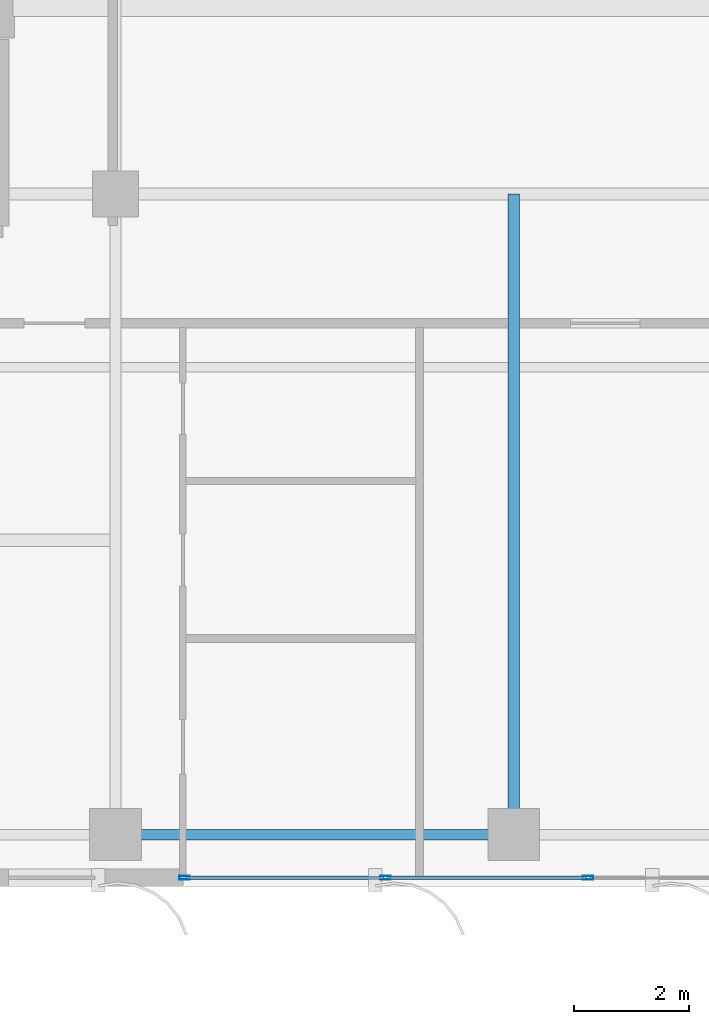
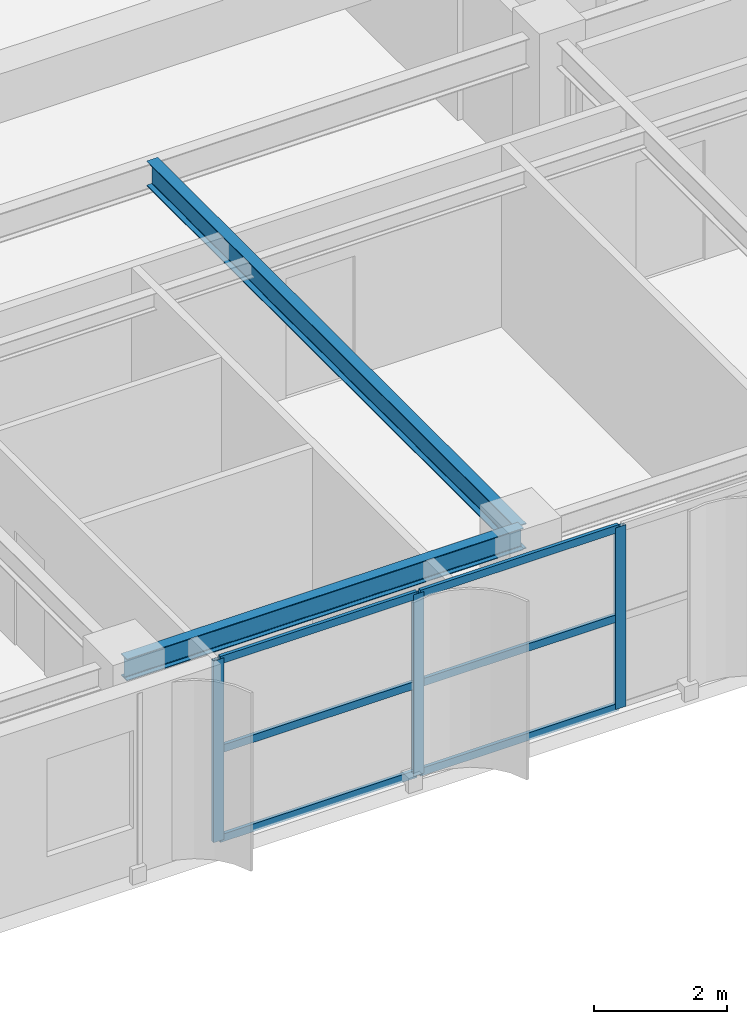
# One storey, part 2 of 22: 9 members, 2 beams, 1 element without a shape of its own.
"""IFC4 building model written with IfcOpenShell, lengths in metres."""

from ifc_helpers import new_model, si_unit, direction, frame, origin, origin_2d, place, context, subcontext, project, spatial, hollow_rectangle, i_section, extrude, source, transform, mapped, material, layer, layer_set, material_profile, profile_set, type_object, element, aggregate, save


model = new_model("IFC4")

# Units and contexts
model_context = context("Model", 3, precision=1e-05, world=origin(), true_north=direction((0.0, 1.0)))
body_context = subcontext(model_context, "Body", "Model", "MODEL_VIEW")
ifc_project = project(units=[si_unit("LENGTHUNIT", "METRE"), si_unit("AREAUNIT", "SQUARE_METRE"), si_unit("VOLUMEUNIT", "CUBIC_METRE"), si_unit("PLANEANGLEUNIT", "RADIAN"), si_unit("MASSUNIT", "GRAM", prefix="KILO")], contexts=[model_context])

# Site, building, storey
site_placement = place(None, origin())
site = spatial("IfcSite", under=ifc_project, at=site_placement, CompositionType="ELEMENT")
building_placement = place(site_placement, origin())
building = spatial("IfcBuilding", under=site, at=building_placement, Name="Khoralis Quay Care Tower", CompositionType="ELEMENT")
storey_placement = place(building_placement, frame((0.0, 0.0, 170.10009765625)))
storey = spatial("IfcBuildingStorey", under=building, at=storey_placement, Name="L44", CompositionType="ELEMENT", Elevation=170.10009765625)

# Beams
ifc_material_1 = material(Name="Steel S355", Category="steel")
ifc_material_profile_1 = material_profile(ifc_material_1, i_section(OverallWidth=0.179931640625, OverallDepth=0.39990234375, WebThickness=0.008544921875, FlangeThickness=0.013427734375, FilletRadius=0.02099609375, at=origin_2d()), Name="Steel S355")
ifc_profile_set_1 = profile_set([ifc_material_profile_1], Name="Steel S355")
beam_type_1 = type_object("IfcBeamType", Name="BM-IPE400", PredefinedType="SPANDREL", material=ifc_profile_set_1)
shared_shape_1 = source(origin(), body_context, "Body", "SweptSolid", [
    extrude(i_section(OverallWidth=0.179931640625, OverallDepth=0.39990234375, WebThickness=0.008544921875, FlangeThickness=0.013427734375, FilletRadius=0.02099609375, at=origin_2d()), origin(), (0.0, 0.0, 1.0), 6.89990234375),
])
beam_1_placement = place(storey_placement, frame((17.10009765625, 0.89990234375, 3.139892578125), z_axis=(1.0, 0.0, 0.0), x_axis=(0.0, 1.0, 0.0)))
element("IfcBeam", 1, at=beam_1_placement, inside=storey, type_object=beam_type_1, Name="BM-TSP-L44-02", PredefinedType="SPANDREL", context=body_context, shape_type="MappedRepresentation", body=[
    mapped(shared_shape_1, transform((0.0, 0.0, 0.0), scale=1.0)),
])
ifc_material_profile_2 = material_profile(ifc_material_1, i_section(OverallWidth=0.19189453125, OverallDepth=0.462890625, WebThickness=0.010498046875, FlangeThickness=0.017578125, FilletRadius=0.014892578125, at=origin_2d()), Name="Steel S355")
ifc_profile_set_2 = profile_set([ifc_material_profile_2], Name="Steel S355")
beam_type_2 = type_object("IfcBeamType", Name="BM-W460X89", PredefinedType="BEAM", material=ifc_profile_set_2)
shared_shape_2 = source(origin(), body_context, "Body", "SweptSolid", [
    extrude(i_section(OverallWidth=0.19189453125, OverallDepth=0.462890625, WebThickness=0.010498046875, FlangeThickness=0.017578125, FilletRadius=0.014892578125, at=origin_2d()), origin(), (0.0, 0.0, 1.0), 11.10009765625),
])
beam_2_placement = place(storey_placement, frame((24.0, 0.89990234375, 3.1083984375), z_axis=(0.0, 1.0, 0.0), x_axis=(-1.0, 0.0, 0.0)))
element("IfcBeam", 2, at=beam_2_placement, inside=storey, type_object=beam_type_2, Name="BM-TGYS-L44-240", PredefinedType="BEAM", context=body_context, shape_type="MappedRepresentation", body=[
    mapped(shared_shape_2, transform((0.0, 0.0, 0.0), scale=1.0)),
])

# Curtain wall, members
ifc_material_2 = material(Name="Pale anodised aluminium", Category="aluminium")
ifc_layer = layer(ifc_material_2, 0.159912109375)
ifc_layer_set = layer_set([ifc_layer], Name="Pale anodised aluminium")
curtain_wall_type = type_object("IfcCurtainWallType", Name="CW-SYS-Z3", PredefinedType="NOTDEFINED", material=ifc_layer_set)
curtain_wall_placement = place(storey_placement, origin())
curtain_wall = element("IfcCurtainWall", 3, at=curtain_wall_placement, inside=storey, type_object=curtain_wall_type, Name="L44 Unitised Curtain Wall CW-L44-P1-E0", PredefinedType="NOTDEFINED")
ifc_material_profile_3 = material_profile(ifc_material_2, hollow_rectangle(XDim=0.06494140625, YDim=0.179931640625, WallThickness=0.00390625, at=origin_2d()), Name="Pale anodised aluminium")
ifc_profile_set_3 = profile_set([ifc_material_profile_3], Name="Pale anodised aluminium")
member_type_1 = type_object("IfcMemberType", Name="CW-MUL-180", PredefinedType="MULLION", material=ifc_profile_set_3)
shared_shape_3 = source(origin(), body_context, "Body", "SweptSolid", [
    extrude(hollow_rectangle(XDim=0.06494140625, YDim=0.179931640625, WallThickness=0.00390625, at=origin_2d()), origin(), (0.0, 0.0, 1.0), 3.33984375),
])
member_1_placement = place(storey_placement, frame((18.2958984375, 0.14990234375, 0.0), z_axis=(0.0, 0.0, 1.0), x_axis=(0.0, 1.0, 0.0)))
member_1 = element("IfcMember", 4, at=member_1_placement, type_object=member_type_1, Name="CW3 mullion 1", PredefinedType="MULLION", context=body_context, shape_type="MappedRepresentation", body=[
    mapped(shared_shape_3, transform((0.0, 0.0, 0.0), scale=1.0)),
])
member_2_placement = place(storey_placement, frame((21.77734375, 0.14990234375, 0.0), z_axis=(0.0, 0.0, 1.0), x_axis=(0.0, 1.0, 0.0)))
member_2 = element("IfcMember", 5, at=member_2_placement, type_object=member_type_1, Name="CW3 mullion 2", PredefinedType="MULLION", context=body_context, shape_type="MappedRepresentation", body=[
    mapped(shared_shape_3, transform((0.0, 0.0, 0.0), scale=1.0)),
])
member_3_placement = place(storey_placement, frame((25.28857421875, 0.14990234375, 0.0), z_axis=(0.0, 0.0, 1.0), x_axis=(0.0, 1.0, 0.0)))
member_3 = element("IfcMember", 6, at=member_3_placement, type_object=member_type_1, Name="CW3 mullion 3", PredefinedType="MULLION", context=body_context, shape_type="MappedRepresentation", body=[
    mapped(shared_shape_3, transform((0.0, 0.0, 0.0), scale=1.0)),
])
ifc_material_profile_4 = material_profile(ifc_material_2, hollow_rectangle(XDim=0.06005859375, YDim=0.139892578125, WallThickness=0.00390625, at=origin_2d()), Name="Pale anodised aluminium")
ifc_profile_set_4 = profile_set([ifc_material_profile_4], Name="Pale anodised aluminium")
member_type_2 = type_object("IfcMemberType", Name="CW-TRN-140", PredefinedType="USERDEFINED", material=ifc_profile_set_4)
shared_shape_4 = source(origin(), body_context, "Body", "SweptSolid", [
    extrude(hollow_rectangle(XDim=0.06005859375, YDim=0.139892578125, WallThickness=0.00390625, at=origin_2d()), origin(), (0.0, 0.0, 1.0), 3.42138671875),
])
member_4_placement = place(storey_placement, frame((18.325927734375, 0.14990234375, 0.02978515625), z_axis=(1.0, 0.0, 0.0), x_axis=(0.0, 1.0, 0.0)))
member_4 = element("IfcMember", 7, at=member_4_placement, type_object=member_type_2, Name="CW3 transom 1.1", ObjectType="TRANSOM", PredefinedType="USERDEFINED", context=body_context, shape_type="MappedRepresentation", body=[
    mapped(shared_shape_4, transform((0.0, 0.0, 0.0), scale=1.0)),
])
member_5_placement = place(storey_placement, frame((18.325927734375, 0.14990234375, 1.669921875), z_axis=(1.0, 0.0, 0.0), x_axis=(0.0, 1.0, 0.0)))
member_5 = element("IfcMember", 8, at=member_5_placement, type_object=member_type_2, Name="CW3 transom 1.2", ObjectType="TRANSOM", PredefinedType="USERDEFINED", context=body_context, shape_type="MappedRepresentation", body=[
    mapped(shared_shape_4, transform((0.0, 0.0, 0.0), scale=1.0)),
])
member_6_placement = place(storey_placement, frame((18.325927734375, 0.14990234375, 3.309814453125), z_axis=(1.0, 0.0, 0.0), x_axis=(0.0, 1.0, 0.0)))
member_6 = element("IfcMember", 9, at=member_6_placement, type_object=member_type_2, Name="CW3 transom 1.3", ObjectType="TRANSOM", PredefinedType="USERDEFINED", context=body_context, shape_type="MappedRepresentation", body=[
    mapped(shared_shape_4, transform((0.0, 0.0, 0.0), scale=1.0)),
])
shared_shape_5 = source(origin(), body_context, "Body", "SweptSolid", [
    extrude(hollow_rectangle(XDim=0.06005859375, YDim=0.139892578125, WallThickness=0.00390625, at=origin_2d()), origin(), (0.0, 0.0, 1.0), 3.451171875),
])
member_7_placement = place(storey_placement, frame((21.807373046875, 0.14990234375, 0.02978515625), z_axis=(1.0, 0.0, 0.0), x_axis=(0.0, 1.0, 0.0)))
member_7 = element("IfcMember", 10, at=member_7_placement, type_object=member_type_2, Name="CW3 transom 2.1", ObjectType="TRANSOM", PredefinedType="USERDEFINED", context=body_context, shape_type="MappedRepresentation", body=[
    mapped(shared_shape_5, transform((0.0, 0.0, 0.0), scale=1.0)),
])
member_8_placement = place(storey_placement, frame((21.807373046875, 0.14990234375, 1.669921875), z_axis=(1.0, 0.0, 0.0), x_axis=(0.0, 1.0, 0.0)))
member_8 = element("IfcMember", 11, at=member_8_placement, type_object=member_type_2, Name="CW3 transom 2.2", ObjectType="TRANSOM", PredefinedType="USERDEFINED", context=body_context, shape_type="MappedRepresentation", body=[
    mapped(shared_shape_5, transform((0.0, 0.0, 0.0), scale=1.0)),
])
member_9_placement = place(storey_placement, frame((21.807373046875, 0.14990234375, 3.309814453125), z_axis=(1.0, 0.0, 0.0), x_axis=(0.0, 1.0, 0.0)))
member_9 = element("IfcMember", 12, at=member_9_placement, type_object=member_type_2, Name="CW3 transom 2.3", ObjectType="TRANSOM", PredefinedType="USERDEFINED", context=body_context, shape_type="MappedRepresentation", body=[
    mapped(shared_shape_5, transform((0.0, 0.0, 0.0), scale=1.0)),
])
aggregate(curtain_wall, [member_1, member_2, member_3, member_4, member_5, member_6, member_7, member_8, member_9])

save(model, "model.ifc")
